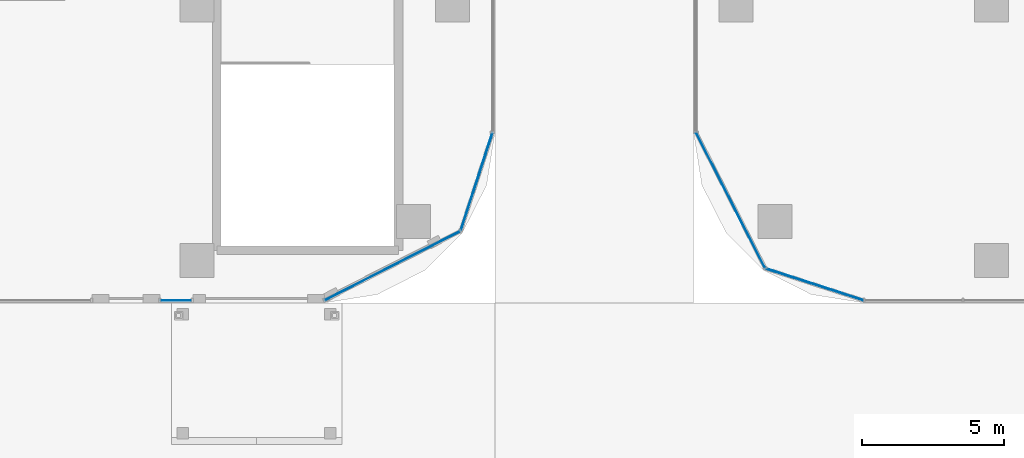
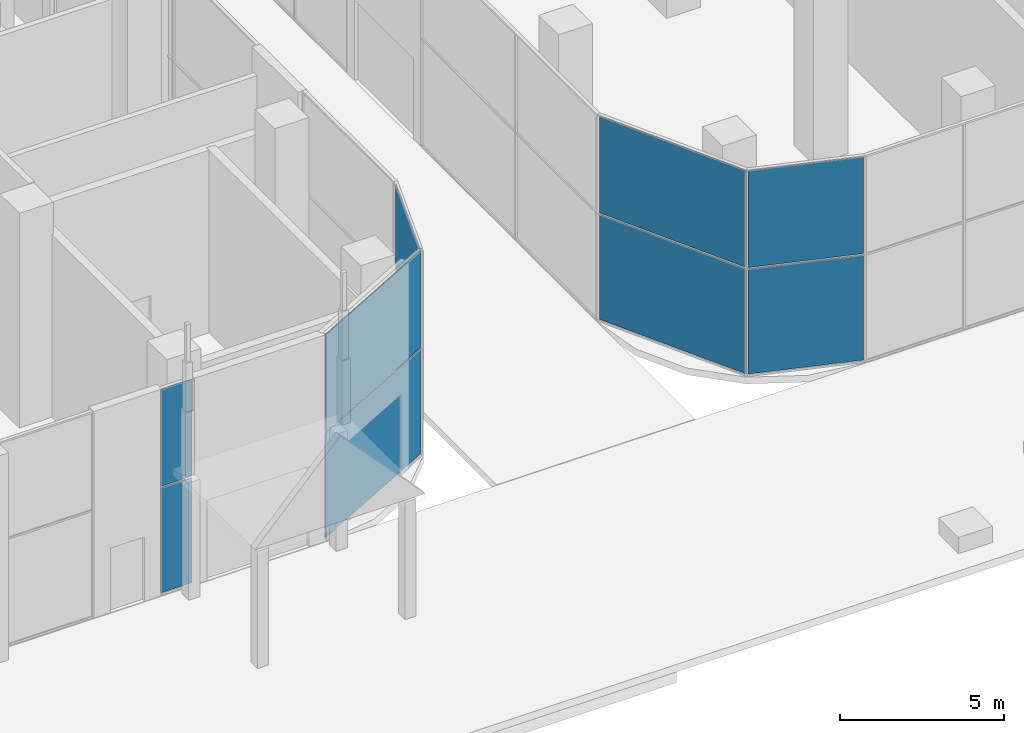
# One storey, part 24 of 54: 10 plates, 3 elements without a shape of their own.
"""IFC4 building model written with IfcOpenShell, lengths in metres."""

from ifc_helpers import new_model, si_unit, direction, frame, origin, origin_2d, place, context, subcontext, project, spatial, rectangle, extrude, material, layer, layer_set, type_object, element, aggregate, save


model = new_model("IFC4")

# Units and contexts
model_context = context("Model", 3, precision=1e-05, world=origin(), true_north=direction((0.0, 1.0)))
body_context = subcontext(model_context, "Body", "Model", "MODEL_VIEW")
ifc_project = project(units=[si_unit("LENGTHUNIT", "METRE"), si_unit("AREAUNIT", "SQUARE_METRE"), si_unit("VOLUMEUNIT", "CUBIC_METRE"), si_unit("PLANEANGLEUNIT", "RADIAN"), si_unit("MASSUNIT", "GRAM", prefix="KILO")], contexts=[model_context])

# Site, building, storey
site_placement = place(None, origin())
site = spatial("IfcSite", under=ifc_project, at=site_placement, CompositionType="ELEMENT")
building_placement = place(site_placement, origin())
building = spatial("IfcBuilding", under=site, at=building_placement, Name="Ogive Portal Towers", CompositionType="ELEMENT")
storey_placement = place(building_placement, origin())
storey = spatial("IfcBuildingStorey", under=building, at=storey_placement, Name="L00", CompositionType="ELEMENT", Elevation=0.0)

# Curtain wall, plates
ifc_material = material(Name="Glass, clear low-iron insulated glazing", Category="glass")
curtain_wall_type = type_object("IfcCurtainWallType", Name="CW PODIUM SHOPFRONT", PredefinedType="NOTDEFINED", material=ifc_material)
curtain_wall_1_placement = place(storey_placement, origin())
curtain_wall_1 = element("IfcCurtainWall", 1, at=curtain_wall_1_placement, inside=storey, type_object=curtain_wall_type, Name="A:L00:f02:cw4", PredefinedType="NOTDEFINED")
ifc_layer = layer(ifc_material, 0.028076171875)
ifc_layer_set = layer_set([ifc_layer], Name="CW PANEL IGU 28")
plate_type = type_object("IfcPlateType", Name="CW PANEL IGU 28", PredefinedType="CURTAIN_PANEL", material=ifc_layer_set)
plate_1_placement = place(storey_placement, frame((93.758056640625, 11.080078125, 0.06005859375), z_axis=(0.0, 0.0, 1.0), x_axis=(1.0, 0.0, 0.0)))
plate_1 = element("IfcPlate", 2, at=plate_1_placement, type_object=plate_type, Name="panel", PredefinedType="CURTAIN_PANEL", context=body_context, shape_type="SweptSolid", body=[
    extrude(rectangle(XDim=1.089599609375, YDim=0.028076171875, at=origin_2d()), origin(), (0.0, 0.0, 1.0), 3.909912109375),
])
plate_2_placement = place(storey_placement, frame((93.758056640625, 11.080078125, 4.02978515625), z_axis=(0.0, 0.0, 1.0), x_axis=(1.0, 0.0, 0.0)))
plate_2 = element("IfcPlate", 3, at=plate_2_placement, type_object=plate_type, Name="panel", PredefinedType="CURTAIN_PANEL", context=body_context, shape_type="SweptSolid", body=[
    extrude(rectangle(XDim=1.089599609375, YDim=0.028076171875, at=origin_2d()), origin(), (0.0, 0.0, 1.0), 3.610107421875),
])
aggregate(curtain_wall_1, [plate_1, plate_2])

curtain_wall_2_placement = place(storey_placement, origin())
curtain_wall_2 = element("IfcCurtainWall", 4, at=curtain_wall_2_placement, inside=storey, type_object=curtain_wall_type, Name="A:L00:f03:cwa", PredefinedType="NOTDEFINED")
plate_3_placement = place(storey_placement, frame((101.384521484375, 12.3046875, 0.06005859375), z_axis=(0.0, 0.0, 1.0), x_axis=(0.891006524188, 0.45399049974, 0.0)))
plate_3 = element("IfcPlate", 5, at=plate_3_placement, type_object=plate_type, Name="panel", PredefinedType="CURTAIN_PANEL", context=body_context, shape_type="SweptSolid", body=[
    extrude(rectangle(XDim=5.33544921875, YDim=0.028076171875, at=origin_2d()), origin(), (0.0, 0.0, 1.0), 3.909912109375),
])
plate_4_placement = place(storey_placement, frame((101.384521484375, 12.3046875, 4.02978515625), z_axis=(0.0, 0.0, 1.0), x_axis=(0.891006524188, 0.45399049974, 0.0)))
plate_4 = element("IfcPlate", 6, at=plate_4_placement, type_object=plate_type, Name="panel", PredefinedType="CURTAIN_PANEL", context=body_context, shape_type="SweptSolid", body=[
    extrude(rectangle(XDim=5.33544921875, YDim=0.028076171875, at=origin_2d()), origin(), (0.0, 0.0, 1.0), 3.610107421875),
])
plate_5_placement = place(storey_placement, frame((104.354248046875, 15.27099609375, 0.06005859375), z_axis=(0.0, 0.0, 1.0), x_axis=(0.309016994375, 0.951056516295, 0.0)))
plate_5 = element("IfcPlate", 7, at=plate_5_placement, type_object=plate_type, Name="panel", PredefinedType="CURTAIN_PANEL", context=body_context, shape_type="SweptSolid", body=[
    extrude(rectangle(XDim=3.602294921875, YDim=0.028076171875, at=origin_2d()), origin(), (0.0, 0.0, 1.0), 3.909912109375),
])
plate_6_placement = place(storey_placement, frame((104.354248046875, 15.27099609375, 4.02978515625), z_axis=(0.0, 0.0, 1.0), x_axis=(0.309016994375, 0.951056516295, 0.0)))
plate_6 = element("IfcPlate", 8, at=plate_6_placement, type_object=plate_type, Name="panel", PredefinedType="CURTAIN_PANEL", context=body_context, shape_type="SweptSolid", body=[
    extrude(rectangle(XDim=3.602294921875, YDim=0.028076171875, at=origin_2d()), origin(), (0.0, 0.0, 1.0), 3.610107421875),
])
aggregate(curtain_wall_2, [plate_3, plate_4, plate_5, plate_6])

curtain_wall_3_placement = place(storey_placement, origin())
curtain_wall_3 = element("IfcCurtainWall", 9, at=curtain_wall_3_placement, inside=storey, type_object=curtain_wall_type, Name="B:L00:f00:cwa", PredefinedType="NOTDEFINED")
plate_7_placement = place(storey_placement, frame((113.3046875, 14.615478515625, 0.06005859375), z_axis=(0.0, 0.0, 1.0), x_axis=(0.45399049974, -0.891006524188, 0.0)))
plate_7 = element("IfcPlate", 10, at=plate_7_placement, type_object=plate_type, Name="panel", PredefinedType="CURTAIN_PANEL", context=body_context, shape_type="SweptSolid", body=[
    extrude(rectangle(XDim=5.33544921875, YDim=0.028076171875, at=origin_2d()), origin(), (0.0, 0.0, 1.0), 3.909912109375),
])
plate_8_placement = place(storey_placement, frame((113.3046875, 14.615478515625, 4.02978515625), z_axis=(0.0, 0.0, 1.0), x_axis=(0.45399049974, -0.891006524188, 0.0)))
plate_8 = element("IfcPlate", 11, at=plate_8_placement, type_object=plate_type, Name="panel", PredefinedType="CURTAIN_PANEL", context=body_context, shape_type="SweptSolid", body=[
    extrude(rectangle(XDim=5.33544921875, YDim=0.028076171875, at=origin_2d()), origin(), (0.0, 0.0, 1.0), 3.610107421875),
])
plate_9_placement = place(storey_placement, frame((116.27099609375, 11.645751953125, 0.06005859375), z_axis=(0.0, 0.0, 1.0), x_axis=(0.951056516295, -0.309016994375, 0.0)))
plate_9 = element("IfcPlate", 12, at=plate_9_placement, type_object=plate_type, Name="panel", PredefinedType="CURTAIN_PANEL", context=body_context, shape_type="SweptSolid", body=[
    extrude(rectangle(XDim=3.602294921875, YDim=0.028076171875, at=origin_2d()), origin(), (0.0, 0.0, 1.0), 3.909912109375),
])
plate_10_placement = place(storey_placement, frame((116.27099609375, 11.645751953125, 4.02978515625), z_axis=(0.0, 0.0, 1.0), x_axis=(0.951056516295, -0.309016994375, 0.0)))
plate_10 = element("IfcPlate", 13, at=plate_10_placement, type_object=plate_type, Name="panel", PredefinedType="CURTAIN_PANEL", context=body_context, shape_type="SweptSolid", body=[
    extrude(rectangle(XDim=3.602294921875, YDim=0.028076171875, at=origin_2d()), origin(), (0.0, 0.0, 1.0), 3.610107421875),
])
aggregate(curtain_wall_3, [plate_7, plate_8, plate_9, plate_10])

save(model, "model.ifc")
